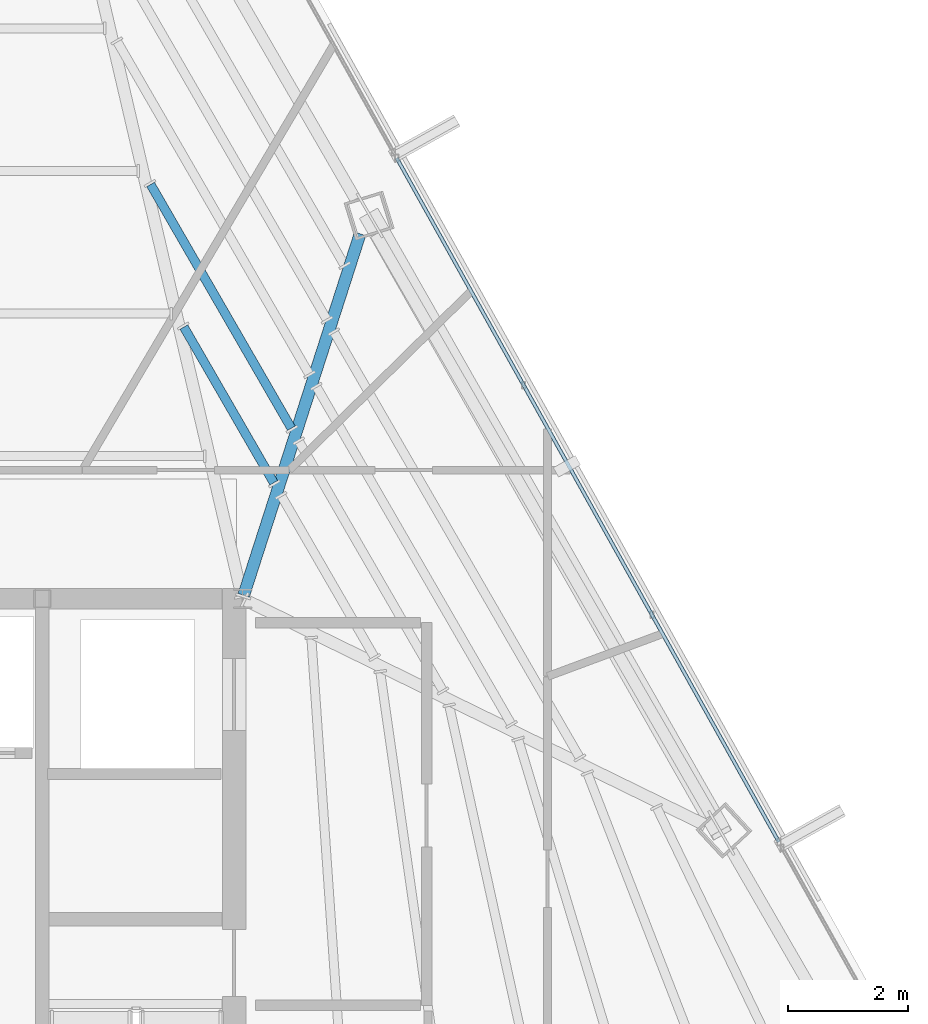
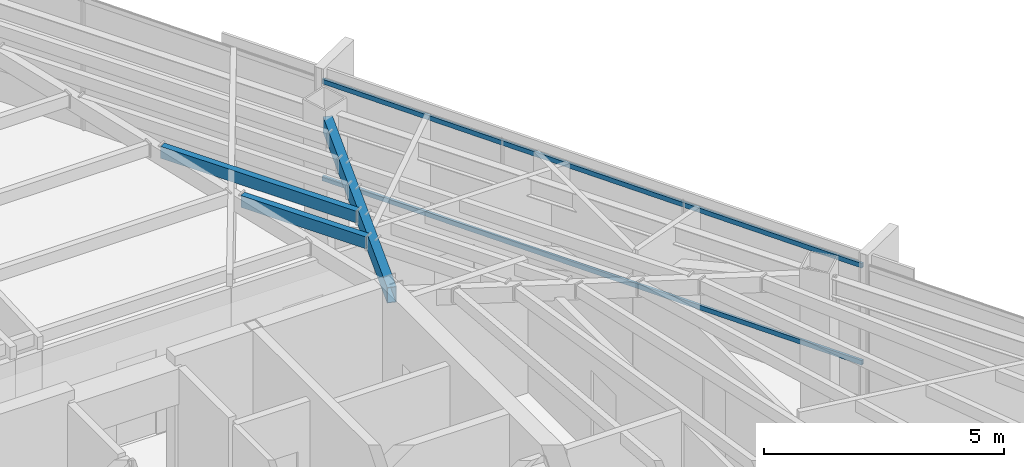
# One storey, part 29 of 45: 3 beams, 2 members, 1 element without a shape of its own.
"""IFC4 building model written with IfcOpenShell, lengths in metres."""

from ifc_helpers import new_model, si_unit, direction, frame, origin, origin_2d, place, context, subcontext, project, spatial, hollow_rectangle, extrude, source, transform, mapped, material, material_profile, profile_set, type_object, type_shapes, element, aggregate, save


model = new_model("IFC4")

# Units and contexts
model_context = context("Model", 3, precision=1e-05, world=origin(), true_north=direction((0.0, 1.0)))
body_context = subcontext(model_context, "Body", "Model", "MODEL_VIEW")
ifc_project = project(units=[si_unit("LENGTHUNIT", "METRE"), si_unit("AREAUNIT", "SQUARE_METRE"), si_unit("VOLUMEUNIT", "CUBIC_METRE"), si_unit("PLANEANGLEUNIT", "RADIAN"), si_unit("MASSUNIT", "GRAM", prefix="KILO")], contexts=[model_context])

# Site, building, storey
site_placement = place(None, origin())
site = spatial("IfcSite", under=ifc_project, at=site_placement, CompositionType="ELEMENT")
building_placement = place(site_placement, origin())
building = spatial("IfcBuilding", under=site, at=building_placement, Name="Caelisora Broadcast Tower", CompositionType="ELEMENT")
storey_placement = place(building_placement, frame((0.0, 0.0, 262.699951171875)))
storey = spatial("IfcBuildingStorey", under=building, at=storey_placement, Name="L69", CompositionType="ELEMENT", Elevation=262.699951171875)

# Beams
ifc_material_1 = material(Name="Steel Grade 350 (AS/NZS 1163 C350L0)", Category="steel")
ifc_material_profile_1 = material_profile(ifc_material_1, hollow_rectangle(XDim=0.199951171875, YDim=0.39990234375, WallThickness=0.012451171875, at=origin_2d()), Name="Steel Grade 350 (AS/NZS 1163 C350L0)")
ifc_profile_set_1 = profile_set([ifc_material_profile_1], Name="Steel Grade 350 (AS/NZS 1163 C350L0)")
beam_type_1 = type_object("IfcBeamType", Name="PG07", PredefinedType="BEAM", material=ifc_profile_set_1)
shared_shape_1 = source(origin(), body_context, "Body", "SweptSolid", [
    extrude(hollow_rectangle(XDim=0.199951171875, YDim=0.39990234375, WallThickness=0.012451171875, at=origin_2d()), origin(), (0.0, 0.0, 1.0), 6.352783203125),
])
type_shapes(beam_type_1, [shared_shape_1])
beam_1_placement = place(storey_placement, frame((45.518310546875, 30.05712890625, 3.199951171875), z_axis=(0.306631099751, 0.95182843447, 0.0), x_axis=(-0.95182843447, 0.306631099751, 0.0)))
element("IfcBeam", 1, at=beam_1_placement, inside=storey, type_object=beam_type_1, Name="L69 beam PG07", PredefinedType="BEAM", context=body_context, shape_type="MappedRepresentation", body=[
    mapped(shared_shape_1, transform((0.0, 0.0, 0.0), scale=1.0)),
])
ifc_material_profile_2 = material_profile(ifc_material_1, hollow_rectangle(XDim=0.14990234375, YDim=0.300048828125, WallThickness=0.010009765625, at=origin_2d()), Name="Steel Grade 350 (AS/NZS 1163 C350L0)")
ifc_profile_set_2 = profile_set([ifc_material_profile_2], Name="Steel Grade 350 (AS/NZS 1163 C350L0)")
beam_type_2 = type_object("IfcBeamType", Name="SB05", PredefinedType="JOIST", material=ifc_profile_set_2)
shared_shape_2 = source(origin(), body_context, "Body", "SweptSolid", [
    extrude(hollow_rectangle(XDim=0.14990234375, YDim=0.300048828125, WallThickness=0.010009765625, at=origin_2d()), origin(), (0.0, 0.0, 1.0), 3.007568359375),
])
beam_2_placement = place(storey_placement, frame((46.02197265625, 31.939208984375, 3.25), z_axis=(-0.499954337256, 0.866051765577, 0.0), x_axis=(-0.866051765577, -0.499954337256, 0.0)))
element("IfcBeam", 2, at=beam_2_placement, inside=storey, type_object=beam_type_2, Name="L69 beam SB05", PredefinedType="JOIST", context=body_context, shape_type="MappedRepresentation", body=[
    mapped(shared_shape_2, transform((0.0, 0.0, 0.0), scale=1.0)),
])
shared_shape_3 = source(origin(), body_context, "Body", "SweptSolid", [
    extrude(hollow_rectangle(XDim=0.14990234375, YDim=0.300048828125, WallThickness=0.010009765625, at=origin_2d()), origin(), (0.0, 0.0, 1.0), 4.707275390625),
])
type_shapes(beam_type_2, [shared_shape_2, shared_shape_3])
beam_3_placement = place(storey_placement, frame((46.31591796875, 32.851806640625, 3.25), z_axis=(-0.500015761424, 0.866016303731, 0.0), x_axis=(-0.866016303731, -0.500015761424, 0.0)))
element("IfcBeam", 3, at=beam_3_placement, inside=storey, type_object=beam_type_2, Name="L69 beam SB05", PredefinedType="JOIST", context=body_context, shape_type="MappedRepresentation", body=[
    mapped(shared_shape_3, transform((0.0, 0.0, 0.0), scale=1.0)),
])

# Curtain wall, members
ifc_material_2 = material(Name="Unitised Aluminium Insulated Shadow-Box Spandrel Curtain Wall", Category="aluminium")
curtain_wall_type = type_object("IfcCurtainWallType", Name="CW-SP3", PredefinedType="NOTDEFINED", material=ifc_material_2)
curtain_wall_placement = place(storey_placement, origin())
curtain_wall = element("IfcCurtainWall", 4, at=curtain_wall_placement, inside=storey, type_object=curtain_wall_type, Name="L69 curtain wall CW-SP3", PredefinedType="NOTDEFINED")
ifc_material_3 = material(Name="Aluminium 6063-T6 Anodised Terracotta Bronze", Category="aluminium")
ifc_material_profile_3 = material_profile(ifc_material_3, hollow_rectangle(XDim=0.06005859375, YDim=0.1201171875, WallThickness=0.0029296875, at=origin_2d()), Name="Aluminium 6063-T6 Anodised Terracotta Bronze")
ifc_profile_set_3 = profile_set([ifc_material_profile_3], Name="Aluminium 6063-T6 Anodised Terracotta Bronze")
member_type = type_object("IfcMemberType", Name="CWT-03", PredefinedType="USERDEFINED", material=ifc_profile_set_3)
shared_shape_4 = source(origin(), body_context, "Body", "SweptSolid", [
    extrude(hollow_rectangle(XDim=0.06005859375, YDim=0.1201171875, WallThickness=0.0029296875, at=origin_2d()), origin(), (0.0, 0.0, 1.0), 13.1044921875),
])
type_shapes(member_type, [shared_shape_4])
member_1_placement = place(storey_placement, frame((48.077880859375, 37.37109375, 0.85009765625), z_axis=(0.487832213996, -0.872937415276, 0.0), x_axis=(0.872937415276, 0.487832213996, 0.0)))
member_1 = element("IfcMember", 5, at=member_1_placement, type_object=member_type, Name="L69-CW-B02 transom #1", ObjectType="TRANSOM", PredefinedType="USERDEFINED", context=body_context, shape_type="MappedRepresentation", body=[
    mapped(shared_shape_4, transform((0.0, 0.0, 0.0), scale=1.0)),
])
member_2_placement = place(storey_placement, frame((48.077880859375, 37.37109375, 3.320068359375), z_axis=(0.487832213996, -0.872937415276, 0.0), x_axis=(0.872937415276, 0.487832213996, 0.0)))
member_2 = element("IfcMember", 6, at=member_2_placement, type_object=member_type, Name="L69-CW-B02 transom #2", ObjectType="TRANSOM", PredefinedType="USERDEFINED", context=body_context, shape_type="MappedRepresentation", body=[
    mapped(shared_shape_4, transform((0.0, 0.0, 0.0), scale=1.0)),
])
aggregate(curtain_wall, [member_1, member_2])

save(model, "model.ifc")
